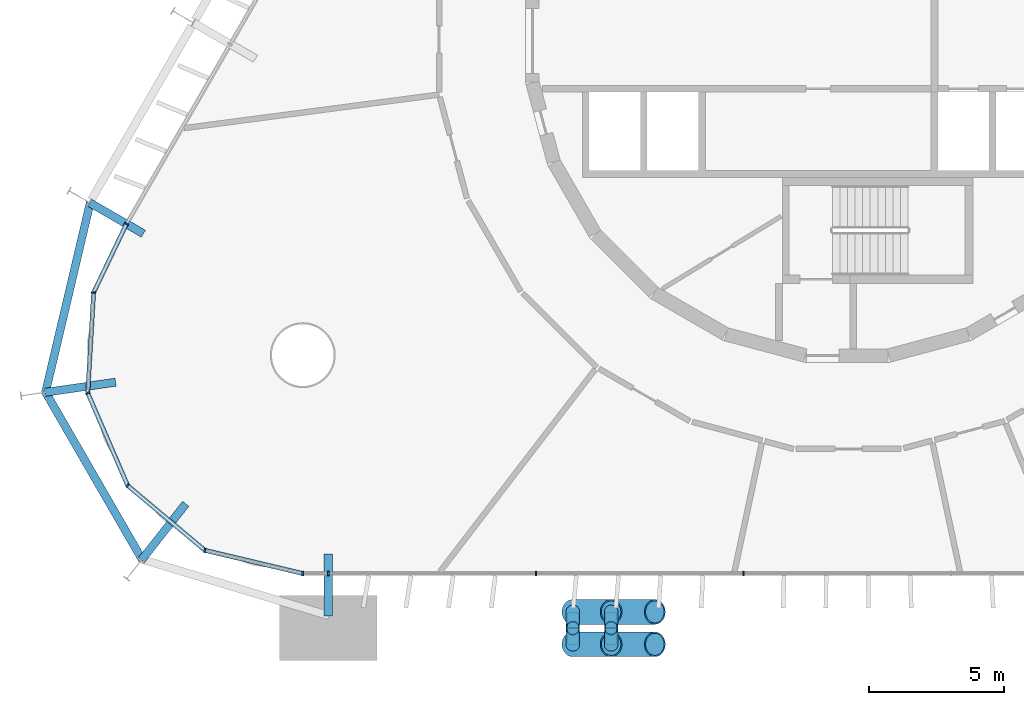
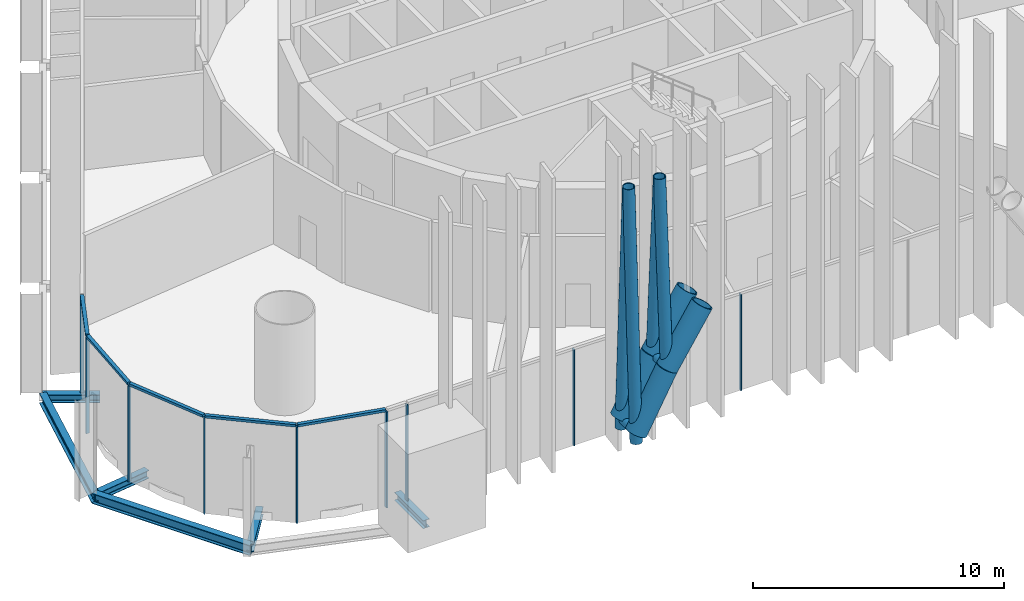
# One storey, part 3 of 17: 24 members, 6 beams, 2 elements without a shape of their own.
"""IFC4 building model written with IfcOpenShell, lengths in metres."""

from ifc_helpers import new_model, si_unit, direction, frame, origin, origin_2d, place, context, subcontext, project, spatial, rectangle, hollow_circle, i_section, extrude, material, layer, layer_set, material_profile, profile_set, type_object, element, aggregate, save


model = new_model("IFC4")

# Units and contexts
model_context = context("Model", 3, precision=1e-05, world=origin(), true_north=direction((0.0, 1.0)))
body_context = subcontext(model_context, "Body", "Model", "MODEL_VIEW")
ifc_project = project(units=[si_unit("LENGTHUNIT", "METRE"), si_unit("AREAUNIT", "SQUARE_METRE"), si_unit("VOLUMEUNIT", "CUBIC_METRE"), si_unit("PLANEANGLEUNIT", "RADIAN"), si_unit("MASSUNIT", "GRAM", prefix="KILO")], contexts=[model_context])

# Site, building, storey
site_placement = place(None, origin())
site = spatial("IfcSite", under=ifc_project, at=site_placement, CompositionType="ELEMENT")
building_placement = place(site_placement, origin())
building = spatial("IfcBuilding", under=site, at=building_placement, Name="Spindle Arch Residences", CompositionType="ELEMENT")
storey_placement = place(building_placement, frame((0.0, 0.0, 18.60009765625)))
storey = spatial("IfcBuildingStorey", under=building, at=storey_placement, Name="L03", CompositionType="ELEMENT", Elevation=18.60009765625)

# Members
ifc_material_1 = material(Name="Steel S355J2, intumescent coating R 240", Category="steel")
ifc_material_profile_1 = material_profile(ifc_material_1, hollow_circle(Radius=0.25390625, WallThickness=0.02490234375, at=origin_2d()), Name="CHS 508x25")
ifc_profile_set_1 = profile_set([ifc_material_profile_1], Name="Steel S355J2, intumescent coating R 240")
member_type_1 = type_object("IfcMemberType", Name="Arch hanger CHS 508x25", PredefinedType="BRACE", material=ifc_profile_set_1)
member_1_placement = place(storey_placement, frame((-10.153076171875, -21.72998046875, 12.94189453125), z_axis=(0.0, -0.049775949801, -0.998760409118), x_axis=(1.0, 0.0, 0.0)))
element("IfcMember", 1, at=member_1_placement, inside=storey, type_object=member_type_1, Name="Arch hanger 1.7", PredefinedType="BRACE", context=body_context, shape_type="SweptSolid", body=[
    extrude(hollow_circle(Radius=0.25390625, WallThickness=0.02490234375, at=origin_2d()), origin(), (0.0, 0.0, 1.0), 12.051025390625),
])
member_2_placement = place(storey_placement, frame((-8.73486328125, -21.72998046875, 12.94189453125), z_axis=(0.0, -0.06380580949, -0.997962333295), x_axis=(1.0, 0.0, 0.0)))
element("IfcMember", 2, at=member_2_placement, inside=storey, type_object=member_type_1, Name="Arch hanger 1.8", PredefinedType="BRACE", context=body_context, shape_type="SweptSolid", body=[
    extrude(hollow_circle(Radius=0.25390625, WallThickness=0.02490234375, at=origin_2d()), origin(), (0.0, 0.0, 1.0), 9.401123046875),
])
member_3_placement = place(storey_placement, frame((-10.153076171875, -21.72998046875, 12.94189453125), z_axis=(0.0, 0.049796158408, -0.998759401762), x_axis=(-1.0, 0.0, 0.0)))
element("IfcMember", 3, at=member_3_placement, inside=storey, type_object=member_type_1, Name="Arch hanger 2.7", PredefinedType="BRACE", context=body_context, shape_type="SweptSolid", body=[
    extrude(hollow_circle(Radius=0.25390625, WallThickness=0.02490234375, at=origin_2d()), origin(), (0.0, 0.0, 1.0), 12.051025390625),
])
member_4_placement = place(storey_placement, frame((-8.73486328125, -21.72998046875, 12.94189453125), z_axis=(0.0, 0.063831672692, -0.997960679366), x_axis=(-1.0, 0.0, 0.0)))
element("IfcMember", 4, at=member_4_placement, inside=storey, type_object=member_type_1, Name="Arch hanger 2.8", PredefinedType="BRACE", context=body_context, shape_type="SweptSolid", body=[
    extrude(hollow_circle(Radius=0.25390625, WallThickness=0.02490234375, at=origin_2d()), origin(), (0.0, 0.0, 1.0), 9.4013671875),
])
ifc_material_2 = material(Name="Steel S355J2, intumescent coating R 240", Category="steel")
ifc_material_profile_2 = material_profile(ifc_material_2, hollow_circle(Radius=0.45703125, WallThickness=0.050048828125, at=origin_2d()), Name="CHS 914x50")
ifc_profile_set_2 = profile_set([ifc_material_profile_2], Name="Steel S355J2, intumescent coating R 240")
member_type_2 = type_object("IfcMemberType", Name="Arch rib CHS 914x50", PredefinedType="MEMBER", material=ifc_profile_set_2)
member_5_placement = place(storey_placement, frame((-10.153076171875, -22.329833984375, 1.36279296875), z_axis=(0.471257595122, 0.0, 0.881995623028), x_axis=(0.0, 1.0, 0.0)))
element("IfcMember", 5, at=member_5_placement, inside=storey, type_object=member_type_2, Name="Arch rib 1.8", PredefinedType="MEMBER", context=body_context, shape_type="SweptSolid", body=[
    extrude(hollow_circle(Radius=0.45703125, WallThickness=0.050048828125, at=origin_2d()), origin(), (0.0, 0.0, 1.0), 3.009521484375),
])
member_6_placement = place(storey_placement, frame((-8.73486328125, -22.329833984375, 4.01708984375), z_axis=(0.537074718615, 0.0, 0.843534674228), x_axis=(0.0, 1.0, 0.0)))
element("IfcMember", 6, at=member_6_placement, inside=storey, type_object=member_type_2, Name="Arch rib 1.9", PredefinedType="MEMBER", context=body_context, shape_type="SweptSolid", body=[
    extrude(hollow_circle(Radius=0.45703125, WallThickness=0.050048828125, at=origin_2d()), origin(), (0.0, 0.0, 1.0), 3.012939453125),
])
member_7_placement = place(storey_placement, frame((-10.153076171875, -21.1298828125, 1.36279296875), z_axis=(0.471257595122, 0.0, 0.881995623028), x_axis=(0.0, 1.0, 0.0)))
element("IfcMember", 7, at=member_7_placement, inside=storey, type_object=member_type_2, Name="Arch rib 2.8", PredefinedType="MEMBER", context=body_context, shape_type="SweptSolid", body=[
    extrude(hollow_circle(Radius=0.45703125, WallThickness=0.050048828125, at=origin_2d()), origin(), (0.0, 0.0, 1.0), 3.009521484375),
])
member_8_placement = place(storey_placement, frame((-8.73486328125, -21.1298828125, 4.01708984375), z_axis=(0.537074718615, 0.0, 0.843534674228), x_axis=(0.0, 1.0, 0.0)))
element("IfcMember", 8, at=member_8_placement, inside=storey, type_object=member_type_2, Name="Arch rib 2.9", PredefinedType="MEMBER", context=body_context, shape_type="SweptSolid", body=[
    extrude(hollow_circle(Radius=0.45703125, WallThickness=0.050048828125, at=origin_2d()), origin(), (0.0, 0.0, 1.0), 3.012939453125),
])
ifc_material_3 = material(Name="Steel S355J2, intumescent coating R 240", Category="steel")
ifc_material_profile_3 = material_profile(ifc_material_3, hollow_circle(Radius=0.203125, WallThickness=0.02001953125, at=origin_2d()), Name="CHS 406.4x20")
ifc_profile_set_3 = profile_set([ifc_material_profile_3], Name="Steel S355J2, intumescent coating R 240")
member_type_3 = type_object("IfcMemberType", Name="Arch tie CHS 406.4x20", PredefinedType="MEMBER", material=ifc_profile_set_3)
for number, where, z_axis, x_axis, name in (
    (9, (-10.153076171875, -22.329833984375, 1.36279296875), (0.0, 1.0, 0.0), (-1.0, 0.0, 0.0), "Arch tie 7"),
    (10, (-8.73486328125, -22.329833984375, 4.01708984375), (0.0, 1.0, 0.0), (-1.0, 0.0, 0.0), "Arch tie 8"),
):
    element("IfcMember", number, at=place(storey_placement, frame(where, z_axis=z_axis, x_axis=x_axis)), inside=storey, type_object=member_type_3, Name=name, PredefinedType="MEMBER", context=body_context, shape_type="SweptSolid", body=[
        extrude(hollow_circle(Radius=0.203125, WallThickness=0.02001953125, at=origin_2d()), origin(), (0.0, 0.0, 1.0), 1.199951171875),
    ])

# Curtain wall, members
ifc_material_4 = material(Name="Aluminium bronze unitised frame with tinted glass", Category="aluminium")
ifc_layer_1 = layer(ifc_material_4, 0.159912109375)
ifc_layer_set_1 = layer_set([ifc_layer_1], Name="CW-D corner wall on the fillet arcs")
curtain_wall_type_1 = type_object("IfcCurtainWallType", Name="CW-D corner wall on the fillet arcs", PredefinedType="NOTDEFINED", material=ifc_layer_set_1)
curtain_wall_1_placement = place(storey_placement, origin())
curtain_wall_1 = element("IfcCurtainWall", 11, at=curtain_wall_1_placement, inside=storey, type_object=curtain_wall_type_1, Name="CW-D L03 run 5", PredefinedType="NOTDEFINED")
ifc_material_5 = material(Name="Aluminium bronze anodised mullion", Category="aluminium")
ifc_material_profile_4 = material_profile(ifc_material_5, rectangle(XDim=0.159912109375, YDim=0.06005859375, at=origin_2d()), Name="MU 60x160")
ifc_profile_set_4 = profile_set([ifc_material_profile_4], Name="Aluminium bronze anodised mullion")
member_type_4 = type_object("IfcMemberType", Name="Bronze mullion 60x160", PredefinedType="MULLION", material=ifc_profile_set_4)
member_9_placement = place(storey_placement, frame((-26.66943359375, -6.77294921875, -0.380126953125), z_axis=(0.0, 0.0, 1.0), x_axis=(0.902111889092, -0.431502189519, 0.0)))
member_9 = element("IfcMember", 12, at=member_9_placement, type_object=member_type_4, Name="CW-D mullion 00", PredefinedType="MULLION", context=body_context, shape_type="SweptSolid", body=[
    extrude(rectangle(XDim=0.159912109375, YDim=0.06005859375, at=origin_2d()), origin(), (0.0, 0.0, 1.0), 4.679931640625),
])
member_10_placement = place(storey_placement, frame((-27.884033203125, -9.3125, -0.380126953125), z_axis=(0.0, 0.0, 1.0), x_axis=(0.99830815821, -0.058144829968, 0.0)))
member_10 = element("IfcMember", 13, at=member_10_placement, type_object=member_type_4, Name="CW-D mullion 01", PredefinedType="MULLION", context=body_context, shape_type="SweptSolid", body=[
    extrude(rectangle(XDim=0.159912109375, YDim=0.06005859375, at=origin_2d()), origin(), (0.0, 0.0, 1.0), 4.679931640625),
])
member_11_placement = place(storey_placement, frame((-28.100830078125, -13.032958984375, -0.380126953125), z_axis=(0.0, 0.0, 1.0), x_axis=(0.918216106599, 0.396079766691, 0.0)))
member_11 = element("IfcMember", 14, at=member_11_placement, type_object=member_type_4, Name="CW-D mullion 02", PredefinedType="MULLION", context=body_context, shape_type="SweptSolid", body=[
    extrude(rectangle(XDim=0.159912109375, YDim=0.06005859375, at=origin_2d()), origin(), (0.0, 0.0, 1.0), 4.679931640625),
])
member_12_placement = place(storey_placement, frame((-26.624755859375, -16.454833984375, -0.380126953125), z_axis=(0.0, 0.0, 1.0), x_axis=(0.64278760716, 0.766044445239, 0.0)))
member_12 = element("IfcMember", 15, at=member_12_placement, type_object=member_type_4, Name="CW-D mullion 03", PredefinedType="MULLION", context=body_context, shape_type="SweptSolid", body=[
    extrude(rectangle(XDim=0.159912109375, YDim=0.06005859375, at=origin_2d()), origin(), (0.0, 0.0, 1.0), 4.679931640625),
])
member_13_placement = place(storey_placement, frame((-23.769775390625, -18.850341796875, -0.380126953125), z_axis=(0.0, 0.0, 1.0), x_axis=(0.230615868852, 0.973044871028, 0.0)))
member_13 = element("IfcMember", 16, at=member_13_placement, type_object=member_type_4, Name="CW-D mullion 04", PredefinedType="MULLION", context=body_context, shape_type="SweptSolid", body=[
    extrude(rectangle(XDim=0.159912109375, YDim=0.06005859375, at=origin_2d()), origin(), (0.0, 0.0, 1.0), 4.679931640625),
])
member_14_placement = place(storey_placement, frame((-20.1435546875, -19.7099609375, -0.380126953125), z_axis=(0.0, 0.0, 1.0), x_axis=(0.0, 1.0, 0.0)))
member_14 = element("IfcMember", 17, at=member_14_placement, type_object=member_type_4, Name="CW-D mullion 05", PredefinedType="MULLION", context=body_context, shape_type="SweptSolid", body=[
    extrude(rectangle(XDim=0.159912109375, YDim=0.06005859375, at=origin_2d()), origin(), (0.0, 0.0, 1.0), 4.679931640625),
])

ifc_material_6 = material(Name="Aluminium bronze unitised frame with tinted glass", Category="aluminium")
ifc_layer_2 = layer(ifc_material_6, 0.159912109375)
ifc_layer_set_2 = layer_set([ifc_layer_2], Name="CW-B amenity podium glazed wall")
curtain_wall_type_2 = type_object("IfcCurtainWallType", Name="CW-B amenity podium glazed wall", PredefinedType="NOTDEFINED", material=ifc_layer_set_2)
curtain_wall_2_placement = place(storey_placement, origin())
curtain_wall_2 = element("IfcCurtainWall", 18, at=curtain_wall_2_placement, inside=storey, type_object=curtain_wall_type_2, Name="CW-B L03 run 6", PredefinedType="NOTDEFINED")
member_15_placement = place(storey_placement, frame((-19.2001953125, -19.7099609375, -0.380126953125), z_axis=(0.0, 0.0, 1.0), x_axis=(0.0, 1.0, 0.0)))
member_15 = element("IfcMember", 19, at=member_15_placement, type_object=member_type_4, Name="CW-B mullion 21", PredefinedType="MULLION", context=body_context, shape_type="SweptSolid", body=[
    extrude(rectangle(XDim=0.159912109375, YDim=0.06005859375, at=origin_2d()), origin(), (0.0, 0.0, 1.0), 4.679931640625),
])
member_16_placement = place(storey_placement, frame((-11.52001953125, -19.7099609375, -0.380126953125), z_axis=(0.0, 0.0, 1.0), x_axis=(0.0, 1.0, 0.0)))
member_16 = element("IfcMember", 20, at=member_16_placement, type_object=member_type_4, Name="CW-B mullion 22", PredefinedType="MULLION", context=body_context, shape_type="SweptSolid", body=[
    extrude(rectangle(XDim=0.159912109375, YDim=0.06005859375, at=origin_2d()), origin(), (0.0, 0.0, 1.0), 4.679931640625),
])
member_17_placement = place(storey_placement, frame((-3.840087890625, -19.7099609375, -0.380126953125), z_axis=(0.0, 0.0, 1.0), x_axis=(0.0, 1.0, 0.0)))
member_17 = element("IfcMember", 21, at=member_17_placement, type_object=member_type_4, Name="CW-B mullion 23", PredefinedType="MULLION", context=body_context, shape_type="SweptSolid", body=[
    extrude(rectangle(XDim=0.159912109375, YDim=0.06005859375, at=origin_2d()), origin(), (0.0, 0.0, 1.0), 4.679931640625),
])
aggregate(curtain_wall_2, [member_15, member_16, member_17])

# Member
ifc_material_7 = material(Name="Aluminium bronze anodised transom", Category="aluminium")
ifc_material_profile_5 = material_profile(ifc_material_7, rectangle(XDim=0.159912109375, YDim=0.1201171875, at=origin_2d()), Name="TR 120x160")
ifc_profile_set_5 = profile_set([ifc_material_profile_5], Name="Aluminium bronze anodised transom")
member_type_5 = type_object("IfcMemberType", Name="Bronze transom 120x160", PredefinedType="USERDEFINED", material=ifc_profile_set_5)
member_18_placement = place(storey_placement, frame((-26.682373046875, -6.800048828125, 4.35986328125), z_axis=(-0.43147744699, -0.902123723631, 0.0), x_axis=(0.902123723631, -0.43147744699, 0.0)))
member_18 = element("IfcMember", 22, at=member_18_placement, type_object=member_type_5, Name="CW-D transom 00", ObjectType="TRANSOM", PredefinedType="USERDEFINED", context=body_context, shape_type="SweptSolid", body=[
    extrude(rectangle(XDim=0.159912109375, YDim=0.1201171875, at=origin_2d()), origin(), (0.0, 0.0, 1.0), 2.7548828125),
])

member_19_placement = place(storey_placement, frame((-27.885986328125, -9.342529296875, 4.35986328125), z_axis=(-0.058128716156, -0.998309096602, 0.0), x_axis=(0.998309096602, -0.058128716156, 0.0)))
member_19 = element("IfcMember", 23, at=member_19_placement, type_object=member_type_5, Name="CW-D transom 01", ObjectType="TRANSOM", PredefinedType="USERDEFINED", context=body_context, shape_type="SweptSolid", body=[
    extrude(rectangle(XDim=0.159912109375, YDim=0.1201171875, at=origin_2d()), origin(), (0.0, 0.0, 1.0), 3.66650390625),
])

member_20_placement = place(storey_placement, frame((-28.0888671875, -13.060546875, 4.35986328125), z_axis=(0.39603167212, -0.918236851078, 0.0), x_axis=(0.918236851078, 0.39603167212, 0.0)))
member_20 = element("IfcMember", 24, at=member_20_placement, type_object=member_type_5, Name="CW-D transom 02", ObjectType="TRANSOM", PredefinedType="USERDEFINED", context=body_context, shape_type="SweptSolid", body=[
    extrude(rectangle(XDim=0.159912109375, YDim=0.1201171875, at=origin_2d()), origin(), (0.0, 0.0, 1.0), 3.666748046875),
])

member_21_placement = place(storey_placement, frame((-26.601806640625, -16.47412109375, 4.35986328125), z_axis=(0.766006453075, -0.642832881741, 0.0), x_axis=(0.642832881741, 0.766006453075, 0.0)))
member_21 = element("IfcMember", 25, at=member_21_placement, type_object=member_type_5, Name="CW-D transom 03", ObjectType="TRANSOM", PredefinedType="USERDEFINED", context=body_context, shape_type="SweptSolid", body=[
    extrude(rectangle(XDim=0.159912109375, YDim=0.1201171875, at=origin_2d()), origin(), (0.0, 0.0, 1.0), 3.666748046875),
])

member_22_placement = place(storey_placement, frame((-23.74072265625, -18.857421875, 4.35986328125), z_axis=(0.973053560164, -0.230579203425, 0.0), x_axis=(0.230579203425, 0.973053560164, 0.0)))
member_22 = element("IfcMember", 26, at=member_22_placement, type_object=member_type_5, Name="CW-D transom 04", ObjectType="TRANSOM", PredefinedType="USERDEFINED", context=body_context, shape_type="SweptSolid", body=[
    extrude(rectangle(XDim=0.159912109375, YDim=0.1201171875, at=origin_2d()), origin(), (0.0, 0.0, 1.0), 3.666748046875),
])

aggregate(curtain_wall_1, [member_9, member_18, member_10, member_19, member_11, member_20, member_12, member_21, member_13, member_22, member_14])

# Beams
ifc_material_8 = material(Name="Steel S460ML, intumescent coating R 120", Category="steel")
ifc_material_profile_6 = material_profile(ifc_material_8, i_section(OverallWidth=0.300048828125, OverallDepth=0.5, WebThickness=0.014404296875, FlangeThickness=0.028076171875, FilletRadius=0.027099609375, at=origin_2d()), Name="HEB 500")
ifc_profile_set_6 = profile_set([ifc_material_profile_6], Name="Steel S460ML, intumescent coating R 120")
beam_type_1 = type_object("IfcBeamType", Name="Exoskeleton edge beam HEB 500", PredefinedType="BEAM", material=ifc_profile_set_6)
beam_1_placement = place(storey_placement, frame((-28.006591796875, -5.974609375, -0.630126953125), z_axis=(-0.229185730541, -0.973382710406, 0.0), x_axis=(0.973382710406, -0.229185730541, 0.0)))
element("IfcBeam", 27, at=beam_1_placement, inside=storey, type_object=beam_type_1, Name="Exoskeleton edge beam 19", PredefinedType="BEAM", context=body_context, shape_type="SweptSolid", body=[
    extrude(i_section(OverallWidth=0.300048828125, OverallDepth=0.5, WebThickness=0.014404296875, FlangeThickness=0.028076171875, FilletRadius=0.027099609375, at=origin_2d()), origin(), (0.0, 0.0, 1.0), 7.25),
])
beam_2_placement = place(storey_placement, frame((-29.685302734375, -12.9609375, -0.630126953125), z_axis=(0.500025200273, -0.866010853911, 0.0), x_axis=(0.866010853911, 0.500025200273, 0.0)))
element("IfcBeam", 28, at=beam_2_placement, inside=storey, type_object=beam_type_1, Name="Exoskeleton edge beam 20", PredefinedType="BEAM", context=body_context, shape_type="SweptSolid", body=[
    extrude(i_section(OverallWidth=0.300048828125, OverallDepth=0.5, WebThickness=0.014404296875, FlangeThickness=0.028076171875, FilletRadius=0.027099609375, at=origin_2d()), origin(), (0.0, 0.0, 1.0), 7.236572265625),
])
ifc_material_9 = material(Name="Steel S460ML, intumescent coating R 120", Category="steel")
ifc_material_profile_7 = material_profile(ifc_material_9, i_section(OverallWidth=0.300048828125, OverallDepth=0.389892578125, WebThickness=0.010986328125, FlangeThickness=0.01904296875, FilletRadius=0.027099609375, at=origin_2d()), Name="HEA 400")
ifc_profile_set_7 = profile_set([ifc_material_profile_7], Name="Steel S460ML, intumescent coating R 120")
beam_type_2 = type_object("IfcBeamType", Name="Floor outrigger HEA 400", PredefinedType="BEAM", material=ifc_profile_set_7)
beam_3_placement = place(storey_placement, frame((-28.029052734375, -5.98779296875, -0.5751953125), z_axis=(0.866001280077, -0.50004178116, 0.0), x_axis=(0.50004178116, 0.866001280077, 0.0)))
element("IfcBeam", 29, at=beam_3_placement, inside=storey, type_object=beam_type_2, Name="Floor outrigger 19", PredefinedType="BEAM", context=body_context, shape_type="SweptSolid", body=[
    extrude(i_section(OverallWidth=0.300048828125, OverallDepth=0.389892578125, WebThickness=0.010986328125, FlangeThickness=0.01904296875, FilletRadius=0.027099609375, at=origin_2d()), origin(), (0.0, 0.0, 1.0), 2.294189453125),
])
for number, where, z_axis, x_axis, name in (
    (30, (-29.694580078125, -13.009033203125, -0.5751953125), (0.989738348309, 0.142891573883, 0.0), (-0.142891573883, 0.989738348309, 0.0), "Floor outrigger 20"),
    (31, (-26.11328125, -19.211669921875, -0.5751953125), (0.618586231558, 0.785716917297, 0.0), (-0.785716917297, 0.618586231558, 0.0), "Floor outrigger 21"),
):
    element("IfcBeam", number, at=place(storey_placement, frame(where, z_axis=z_axis, x_axis=x_axis)), inside=storey, type_object=beam_type_2, Name=name, PredefinedType="BEAM", context=body_context, shape_type="SweptSolid", body=[
        extrude(i_section(OverallWidth=0.300048828125, OverallDepth=0.389892578125, WebThickness=0.010986328125, FlangeThickness=0.01904296875, FilletRadius=0.027099609375, at=origin_2d()), origin(), (0.0, 0.0, 1.0), 2.64990234375),
    ])
beam_4_placement = place(storey_placement, frame((-19.2001953125, -21.27978515625, -0.5751953125), z_axis=(0.0, 1.0, 0.0), x_axis=(-1.0, 0.0, 0.0)))
element("IfcBeam", 32, at=beam_4_placement, inside=storey, type_object=beam_type_2, Name="Floor outrigger 22", PredefinedType="BEAM", context=body_context, shape_type="SweptSolid", body=[
    extrude(i_section(OverallWidth=0.300048828125, OverallDepth=0.389892578125, WebThickness=0.010986328125, FlangeThickness=0.01904296875, FilletRadius=0.027099609375, at=origin_2d()), origin(), (0.0, 0.0, 1.0), 2.2939453125),
])

save(model, "model.ifc")
